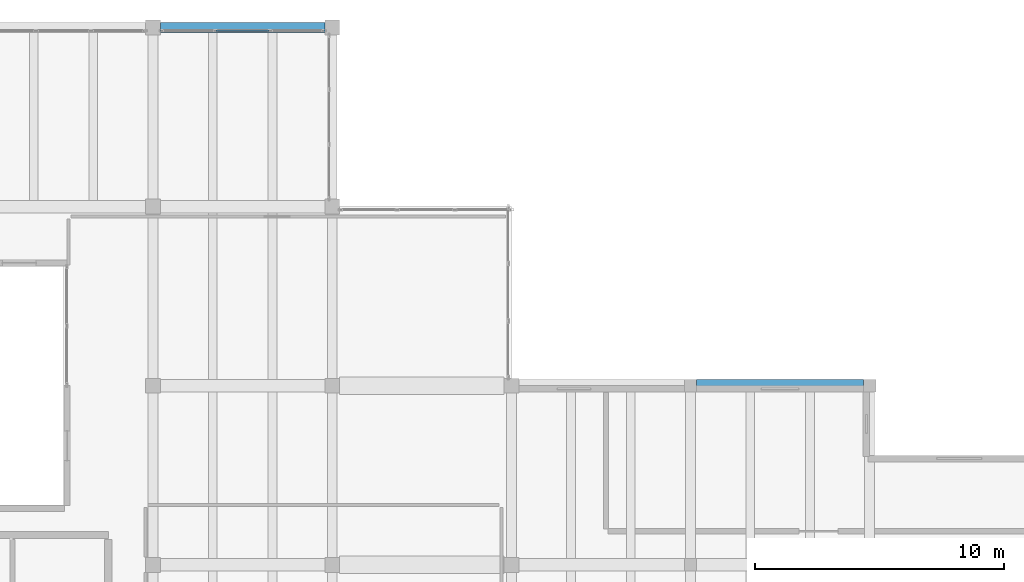
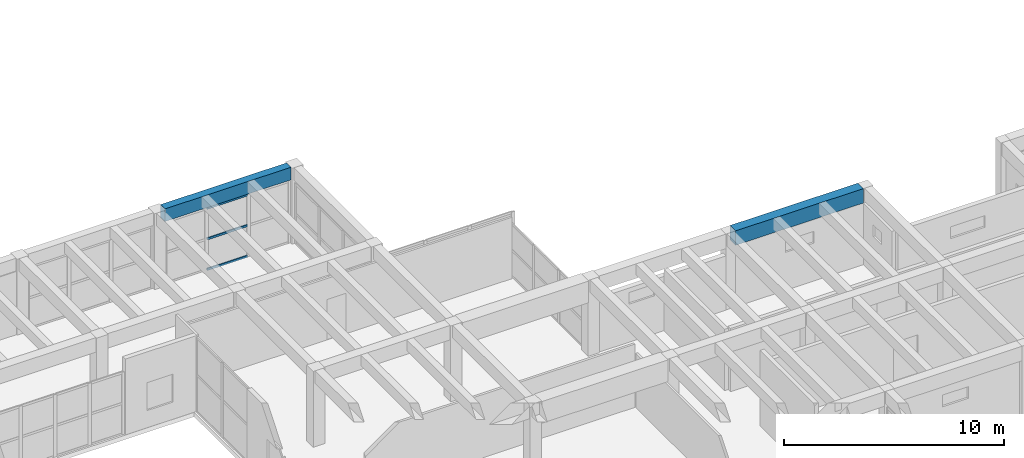
# One storey, part 91 of 153: 3 members, 2 beams, 1 element without a shape of its own.
"""IFC4 building model written with IfcOpenShell, lengths in metres."""

from ifc_helpers import new_model, si_unit, direction, frame, origin, origin_2d, place, context, subcontext, project, spatial, rectangle, hollow_rectangle, extrude, material, material_profile, profile_set, type_object, element, aggregate, save


model = new_model("IFC4")

# Units and contexts
model_context = context("Model", 3, precision=1e-05, world=origin(), true_north=direction((0.0, 1.0)))
body_context = subcontext(model_context, "Body", "Model", "MODEL_VIEW")
ifc_project = project(units=[si_unit("LENGTHUNIT", "METRE"), si_unit("AREAUNIT", "SQUARE_METRE"), si_unit("VOLUMEUNIT", "CUBIC_METRE"), si_unit("PLANEANGLEUNIT", "RADIAN"), si_unit("MASSUNIT", "GRAM", prefix="KILO")], contexts=[model_context])

# Site, building, storey
site_placement = place(None, origin())
site = spatial("IfcSite", under=ifc_project, at=site_placement, CompositionType="ELEMENT")
building_placement = place(site_placement, origin())
building = spatial("IfcBuilding", under=site, at=building_placement, Name="Bramvelor Terrace Health Centre", CompositionType="ELEMENT")
storey_placement = place(building_placement, frame((0.0, 0.0, 4.800048828125)))
storey = spatial("IfcBuildingStorey", under=building, at=storey_placement, Name="L02", CompositionType="ELEMENT", Elevation=4.800048828125)

# Beams
ifc_material_1 = material(Name="Concrete C40/50", Category="concrete")
ifc_material_profile_1 = material_profile(ifc_material_1, rectangle(XDim=0.5, YDim=0.800048828125, at=origin_2d()), Name="RC 500x800")
ifc_profile_set_1 = profile_set([ifc_material_profile_1], Name="Concrete C40/50")
beam_type_1 = type_object("IfcBeamType", Name="BM-RC-G800", PredefinedType="BEAM", material=ifc_profile_set_1)
beam_1_placement = place(storey_placement, frame((50.64990234375, 100.800048828125, 3.800048828125), z_axis=(1.0, 0.0, 0.0), x_axis=(0.0, 1.0, 0.0)))
element("IfcBeam", 1, at=beam_1_placement, inside=storey, type_object=beam_type_1, Name="L02 Floor Girder", PredefinedType="BEAM", context=body_context, shape_type="SweptSolid", body=[
    extrude(rectangle(XDim=0.5, YDim=0.800048828125, at=origin_2d()), origin(), (0.0, 0.0, 1.0), 6.7001953125),
])
ifc_material_2 = material(Name="Concrete C40/50", Category="concrete")
ifc_material_profile_2 = material_profile(ifc_material_2, rectangle(XDim=0.39990234375, YDim=0.699951171875, at=origin_2d()), Name="RC 400x700")
ifc_profile_set_2 = profile_set([ifc_material_profile_2], Name="Concrete C40/50")
beam_type_2 = type_object("IfcBeamType", Name="BM-RC-SP700-EXT", PredefinedType="SPANDREL", material=ifc_profile_set_2)
beam_2_placement = place(storey_placement, frame((29.10009765625, 115.199951171875, 3.849853515625), z_axis=(1.0, 0.0, 0.0), x_axis=(0.0, 1.0, 0.0)))
element("IfcBeam", 2, at=beam_2_placement, inside=storey, type_object=beam_type_2, Name="L02 Floor Girder", PredefinedType="SPANDREL", context=body_context, shape_type="SweptSolid", body=[
    extrude(rectangle(XDim=0.39990234375, YDim=0.699951171875, at=origin_2d()), origin(), (0.0, 0.0, 1.0), 6.599853515625),
])

# Curtain wall, members
ifc_material_3 = material(Name="Anodized aluminium and double low-E glass", Category="aluminium")
curtain_wall_type = type_object("IfcCurtainWallType", Name="CW-SYS-13", PredefinedType="NOTDEFINED", material=ifc_material_3)
curtain_wall_placement = place(storey_placement, origin())
curtain_wall = element("IfcCurtainWall", 3, at=curtain_wall_placement, inside=storey, type_object=curtain_wall_type, Name="L02 Unitized Curtain Wall 82", PredefinedType="NOTDEFINED")
ifc_material_4 = material(Name="Anodized aluminium 6063-T6", Category="aluminium")
ifc_material_profile_3 = material_profile(ifc_material_4, hollow_rectangle(XDim=0.06494140625, YDim=0.1201171875, WallThickness=0.0029296875, at=origin_2d()), Name="ALU-TRN 65x120x3.0")
ifc_profile_set_3 = profile_set([ifc_material_profile_3], Name="Anodized aluminium 6063-T6")
member_type = type_object("IfcMemberType", Name="CW-TRN-65x150", PredefinedType="USERDEFINED", material=ifc_profile_set_3)
member_1_placement = place(storey_placement, frame((31.3359375, 115.070068359375, 0.032470703125), z_axis=(1.0, 0.0, 0.0), x_axis=(0.0, 1.0, 0.0)))
member_1 = element("IfcMember", 4, at=member_1_placement, type_object=member_type, Name="CW-13 transom 2.1", ObjectType="TRANSOM", PredefinedType="USERDEFINED", context=body_context, shape_type="SweptSolid", body=[
    extrude(hollow_rectangle(XDim=0.06494140625, YDim=0.1201171875, WallThickness=0.0029296875, at=origin_2d()), origin(), (0.0, 0.0, 1.0), 2.128173828125),
])
member_2_placement = place(storey_placement, frame((31.3359375, 115.070068359375, 1.72998046875), z_axis=(1.0, 0.0, 0.0), x_axis=(0.0, 1.0, 0.0)))
member_2 = element("IfcMember", 5, at=member_2_placement, type_object=member_type, Name="CW-13 transom 2.2", ObjectType="TRANSOM", PredefinedType="USERDEFINED", context=body_context, shape_type="SweptSolid", body=[
    extrude(hollow_rectangle(XDim=0.06494140625, YDim=0.1201171875, WallThickness=0.0029296875, at=origin_2d()), origin(), (0.0, 0.0, 1.0), 2.128173828125),
])
member_3_placement = place(storey_placement, frame((31.3359375, 115.070068359375, 3.427490234375), z_axis=(1.0, 0.0, 0.0), x_axis=(0.0, 1.0, 0.0)))
member_3 = element("IfcMember", 6, at=member_3_placement, type_object=member_type, Name="CW-13 transom 2.3", ObjectType="TRANSOM", PredefinedType="USERDEFINED", context=body_context, shape_type="SweptSolid", body=[
    extrude(hollow_rectangle(XDim=0.06494140625, YDim=0.1201171875, WallThickness=0.0029296875, at=origin_2d()), origin(), (0.0, 0.0, 1.0), 2.128173828125),
])
aggregate(curtain_wall, [member_1, member_2, member_3])

save(model, "model.ifc")
